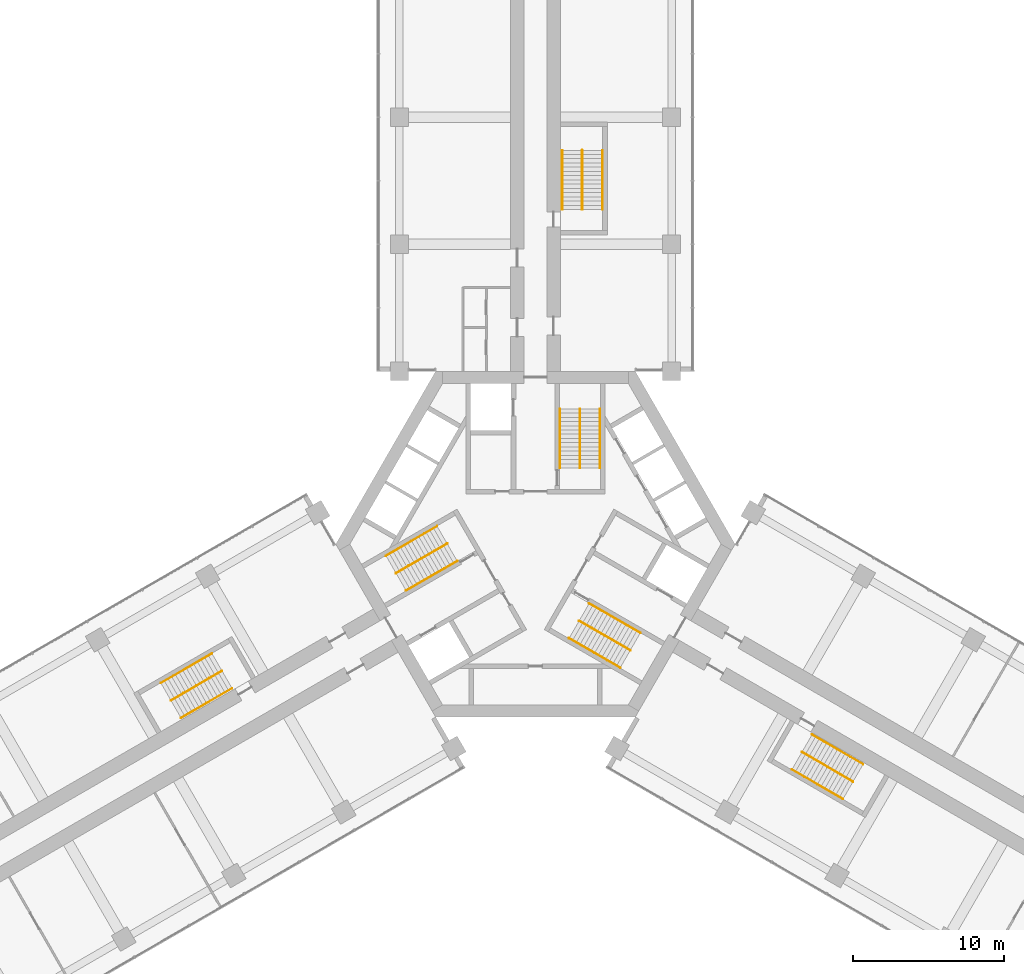
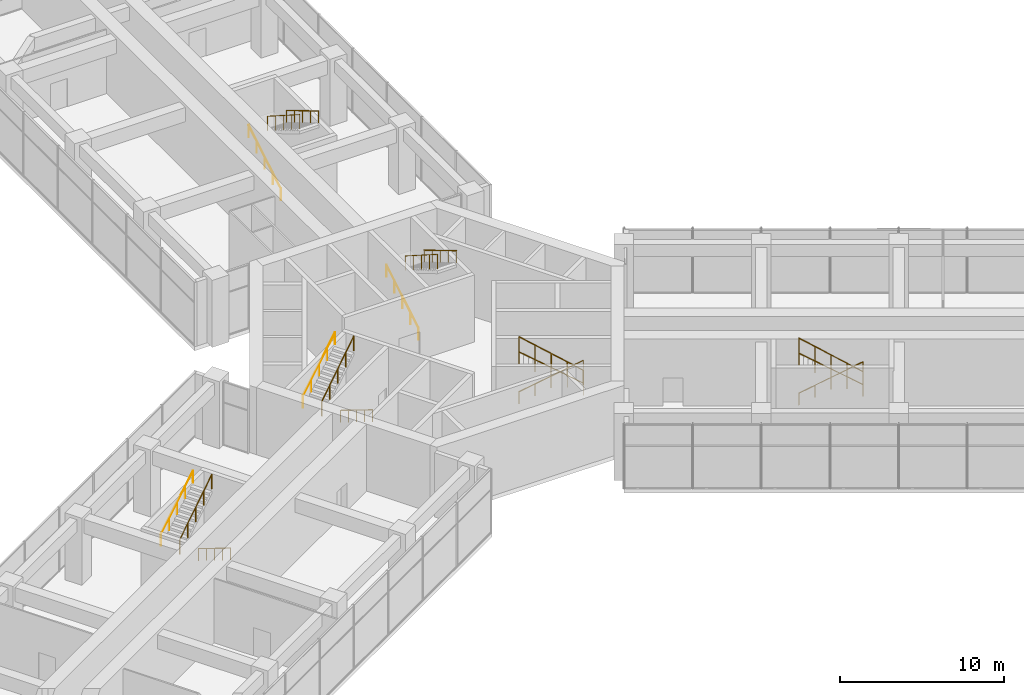
# One storey, part 20 of 20: 18 railings.
"""IFC4 building model written with IfcOpenShell, lengths in metres."""

import ifcopenshell
import ifcopenshell.guid

model = None  # the IFC model being written
_history = None  # IfcOwnerHistory: only IFC2X3 demands one
_inside = {}  # id of a spatial element -> (the spatial element, [elements in it])
_under = {}  # id of a project, library or spatial element -> (it, [spatial elements below it])
_declared = {}  # id of a project -> (the project, [libraries it declares])
_typed = {}  # id of a type object -> (the type object, [elements of that type])
_made_of = {}  # id of a material, layer set ... -> (it, [elements and type objects made of it])


def new_model(schema):
    """Start an empty IFC model of exactly this schema.

    Asked for "IFC4X3", IfcOpenShell would pick the latest addendum, in which some entities
    have other attributes; the version numbers below select the first issue.
    IFC2X3 requires an IfcOwnerHistory on every rooted entity: one is made here for all.
    """
    global model, _history
    if schema == "IFC4X3":
        model = ifcopenshell.file(schema_version=(4, 3, 0, 0))
    else:
        model = ifcopenshell.file(schema=schema)
    _inside.clear()
    _under.clear()
    _declared.clear()
    _typed.clear()
    _made_of.clear()
    _history = None
    if model.schema == "IFC2X3":
        org = make("IfcOrganization", Name="unknown")
        user = make(
            "IfcPersonAndOrganization",
            ThePerson=make("IfcPerson", FamilyName="unknown"),
            TheOrganization=org,
        )
        app = make(
            "IfcApplication",
            ApplicationDeveloper=org,
            Version="unknown",
            ApplicationFullName="unknown",
            ApplicationIdentifier="unknown",
        )
        _history = make(
            "IfcOwnerHistory",
            OwningUser=user,
            OwningApplication=app,
            ChangeAction="ADDED",
            CreationDate=0,
        )
    return model


def make(cls, **values):
    """One entity of the class cls with the attributes given. An attribute that is None is left unset."""
    return model.create_entity(
        cls, **{name: value for name, value in values.items() if value is not None}
    )


def rooted(cls, **values):
    """An entity with a GlobalId (a new one), such as an element, a storey or a relation."""
    return make(cls, GlobalId=ifcopenshell.guid.new(), OwnerHistory=_history, **values)


def si_unit(unit_type, name, prefix=None):
    """IfcSIUnit, for example si_unit("LENGTHUNIT", "METRE", prefix="MILLI")."""
    return make("IfcSIUnit", UnitType=unit_type, Prefix=prefix, Name=name)


def assignment(units):
    """IfcUnitAssignment: the units of a project."""
    return None if units is None else make("IfcUnitAssignment", Units=units)


def point(xyz):
    """IfcCartesianPoint."""
    return None if xyz is None else make("IfcCartesianPoint", Coordinates=xyz)


def direction(xyz):
    """IfcDirection."""
    return None if xyz is None else make("IfcDirection", DirectionRatios=xyz)


def frame(location, z_axis=None, x_axis=None):
    """IfcAxis2Placement3D, a coordinate frame: its origin and axes. An axis left out is left unset."""
    return make(
        "IfcAxis2Placement3D",
        Location=point(location),
        Axis=direction(z_axis),
        RefDirection=direction(x_axis),
    )


def frame_2d(location, x_axis=None):
    """IfcAxis2Placement2D, a coordinate frame in the plane: its origin and x axis."""
    return make(
        "IfcAxis2Placement2D", Location=point(location), RefDirection=direction(x_axis)
    )


def origin():
    """The frame at (0, 0, 0) with its axes left unset."""
    return frame((0.0, 0.0, 0.0))


def origin_2d():
    """The frame at (0, 0) in the plane with its x axis left unset."""
    return frame_2d((0.0, 0.0))


def place(relative_to, where):
    """IfcLocalPlacement: puts the frame where relative to a parent placement (None: the world)."""
    return make(
        "IfcLocalPlacement", PlacementRelTo=relative_to, RelativePlacement=where
    )


def context(
    kind, dimensions, precision=None, world=None, true_north=None, identifier=None
):
    """IfcGeometricRepresentationContext, for example the 3D "Model" context."""
    return make(
        "IfcGeometricRepresentationContext",
        ContextIdentifier=identifier,
        ContextType=kind,
        CoordinateSpaceDimension=dimensions,
        Precision=precision,
        WorldCoordinateSystem=world,
        TrueNorth=true_north,
    )


def subcontext(parent, identifier, kind, view, scale=None):
    """IfcGeometricRepresentationSubContext, for example "Body" below "Model"."""
    return make(
        "IfcGeometricRepresentationSubContext",
        ContextIdentifier=identifier,
        ContextType=kind,
        ParentContext=parent,
        TargetScale=scale,
        TargetView=view,
    )


def project(units=None, contexts=None):
    """IfcProject with its units and contexts."""
    return rooted(
        "IfcProject",
        Name="project",
        RepresentationContexts=contexts,
        UnitsInContext=assignment(units),
    )


def spatial(cls, under=None, at=None, **own):
    """A site, building, storey or space (cls), placed at a placement, below another one or the project."""
    s = rooted(cls, ObjectPlacement=at, **own)
    if under is not None:
        _under.setdefault(under.id(), (under, []))[1].append(s)
    return s


def profile(cls, at=None, kind="AREA", **sizes):
    """A parametric profile (cls). Its sizes go by their IFC names, for example OverallWidth=200.0."""
    return make(cls, ProfileType=kind, Position=at, **sizes)


def circle(**sizes):
    """IfcCircleProfileDef."""
    return profile("IfcCircleProfileDef", **sizes)


def extrude(swept, where, along, depth):
    """IfcExtrudedAreaSolid: the profile swept, set in the frame where, extruded along a direction by depth."""
    return make(
        "IfcExtrudedAreaSolid",
        SweptArea=swept,
        Position=where,
        ExtrudedDirection=direction(along),
        Depth=depth,
    )


def shape(context_of_items, identifier, shape_type, items):
    """IfcShapeRepresentation: the items that make up one representation, for example the "Body"."""
    return make(
        "IfcShapeRepresentation",
        ContextOfItems=context_of_items,
        RepresentationIdentifier=identifier,
        RepresentationType=shape_type,
        Items=items,
    )


def material(Name=None, Category=None):
    """IfcMaterial."""
    return make("IfcMaterial", Name=Name, Category=Category)


def made_of(thing, what):
    """Note that an element or type object is made of a material, layer set ...; save() writes the relation."""
    if what is not None:
        _made_of.setdefault(what.id(), (what, []))[1].append(thing)
    return thing


def type_object(cls, material=None, **own):
    """A type object (cls), such as IfcWallType, which elements share."""
    return made_of(rooted(cls, **own), material)


def element(
    cls,
    number,
    at=None,
    inside=None,
    cuts=None,
    type_object=None,
    material=None,
    context=None,
    identifier="Body",
    shape_type=None,
    held_by="IfcProductDefinitionShape",
    body=None,
    shapes=None,
    **own,
):
    """One element of the class cls, such as IfcWall. Its Tag is "e" and its number.

    at: its placement. inside: the storey or other place that contains it. cuts: it is an
    opening in that element (IfcRelVoidsElement). A single representation is given by context,
    identifier, shape_type and body (its items); several are given by shapes. held_by: the class
    of the entity that holds the representations. save() writes the other relations.
    """
    e = rooted(cls, Tag="e%d" % number, ObjectPlacement=at, **own)
    if body is not None:
        shapes = [shape(context, identifier, shape_type, body)]
    if shapes is not None:
        e.Representation = make(held_by, Representations=shapes)
    if inside is not None:
        _inside.setdefault(inside.id(), (inside, []))[1].append(e)
    if cuts is not None:
        rooted(
            "IfcRelVoidsElement", RelatingBuildingElement=cuts, RelatedOpeningElement=e
        )
    if type_object is not None:
        _typed.setdefault(type_object.id(), (type_object, []))[1].append(e)
    return made_of(e, material)


def aggregate(whole, parts):
    """IfcRelAggregates: a whole, such as a stair, and the parts it consists of."""
    return rooted("IfcRelAggregates", RelatingObject=whole, RelatedObjects=parts)


def save(model, path):
    """Write the relations noted so far, then the file.

    IfcRelAggregates (storeys below a building ...), IfcRelContainedInSpatialStructure (elements
    in a storey), IfcRelDefinesByType, IfcRelAssociatesMaterial and IfcRelDeclares: one each for
    every whole, place, type object, material and project.
    """
    for whole, parts in _under.values():
        aggregate(whole, parts)
    for where, things in _inside.values():
        rooted(
            "IfcRelContainedInSpatialStructure",
            RelatedElements=things,
            RelatingStructure=where,
        )
    for kind, things in _typed.values():
        rooted("IfcRelDefinesByType", RelatedObjects=things, RelatingType=kind)
    for what, things in _made_of.values():
        rooted("IfcRelAssociatesMaterial", RelatedObjects=things, RelatingMaterial=what)
    for by, libraries in _declared.values():
        rooted("IfcRelDeclares", RelatingContext=by, RelatedDefinitions=libraries)
    model.write(path)


model = new_model("IFC4")

# Units and contexts
model_context = context("Model", 3, precision=1e-05, world=origin(), true_north=direction((0.0, 1.0)))
body_context = subcontext(model_context, "Body", "Model", "MODEL_VIEW")
ifc_project = project(units=[si_unit("LENGTHUNIT", "METRE"), si_unit("AREAUNIT", "SQUARE_METRE"), si_unit("VOLUMEUNIT", "CUBIC_METRE"), si_unit("PLANEANGLEUNIT", "RADIAN"), si_unit("MASSUNIT", "GRAM", prefix="KILO")], contexts=[model_context])

# Site, building, storey
site_placement = place(None, origin())
site = spatial("IfcSite", under=ifc_project, at=site_placement, CompositionType="ELEMENT")
building_placement = place(site_placement, origin())
building = spatial("IfcBuilding", under=site, at=building_placement, Name="Impinga Residences", CompositionType="ELEMENT")
storey_placement = place(building_placement, frame((0.0, 0.0, 101.0)))
storey = spatial("IfcBuildingStorey", under=building, at=storey_placement, Name="L24", CompositionType="ELEMENT", Elevation=101.0)

# Railings
ifc_material_1 = material(Name="Steel guard, powder coated", Category="steel")
railing_type_1 = type_object("IfcRailingType", Name="GR1 stair guard 1100", PredefinedType="GUARDRAIL", material=ifc_material_1)
railing_1_placement = place(storey_placement, frame((2.949951171875, 8.949951171875, 2.5)))
element("IfcRailing", 1, at=railing_1_placement, inside=storey, type_object=railing_type_1, Name="Stair guard GR1 ST1 L24", PredefinedType="GUARDRAIL", context=body_context, shape_type="SweptSolid", body=[
    extrude(circle(Radius=0.02392578125, at=origin_2d()), frame((0.0, 0.0, 1.076171875), z_axis=(0.0, -0.843124831705, 0.537717879712), x_axis=(1.0, 0.0, 0.0)), (0.0, 0.0, 1.0), 4.649169921875),
    extrude(circle(Radius=0.02099609375, at=origin_2d()), origin(), (0.0, 0.0, 1.0), 1.052001953125),
    extrude(circle(Radius=0.02099609375, at=origin_2d()), frame((0.0, -0.97998046875, 0.625)), (0.0, 0.0, 1.0), 1.052001953125),
    extrude(circle(Radius=0.02099609375, at=origin_2d()), frame((0.0, -1.9599609375, 1.25)), (0.0, 0.0, 1.0), 1.052001953125),
    extrude(circle(Radius=0.02099609375, at=origin_2d()), frame((0.0, -2.93994140625, 1.875)), (0.0, 0.0, 1.0), 1.052001953125),
    extrude(circle(Radius=0.02099609375, at=origin_2d()), frame((0.0, -3.919921875, 2.5)), (0.0, 0.0, 1.0), 1.052001953125),
])
railing_2_placement = place(storey_placement, frame((-9.225830078125, -1.920166015625, 2.5)))
element("IfcRailing", 2, at=railing_2_placement, inside=storey, type_object=railing_type_1, Name="Stair guard GR1 ST2 L24", PredefinedType="GUARDRAIL", context=body_context, shape_type="SweptSolid", body=[
    extrude(circle(Radius=0.02392578125, at=origin_2d()), frame((0.0, 0.0, 1.076171875), z_axis=(0.730169879136, 0.421560862259, 0.537715898048), x_axis=(-0.499997407846, 0.86602690036, 0.0)), (0.0, 0.0, 1.0), 4.6494140625),
    extrude(circle(Radius=0.02099609375, at=origin_2d()), origin(), (0.0, 0.0, 1.0), 1.052001953125),
    extrude(circle(Radius=0.02099609375, at=origin_2d()), frame((0.8486328125, 0.489990234375, 0.625)), (0.0, 0.0, 1.0), 1.052001953125),
    extrude(circle(Radius=0.02099609375, at=origin_2d()), frame((1.697265625, 0.97998046875, 1.25)), (0.0, 0.0, 1.0), 1.052001953125),
    extrude(circle(Radius=0.02099609375, at=origin_2d()), frame((2.546142578125, 1.469970703125, 1.875)), (0.0, 0.0, 1.0), 1.052001953125),
    extrude(circle(Radius=0.02099609375, at=origin_2d()), frame((3.394775390625, 1.9599609375, 2.5)), (0.0, 0.0, 1.0), 1.052001953125),
])
railing_3_placement = place(storey_placement, frame((6.27587890625, -7.02978515625, 2.5)))
element("IfcRailing", 3, at=railing_3_placement, inside=storey, type_object=railing_type_1, Name="Stair guard GR1 ST3 L24", PredefinedType="GUARDRAIL", context=body_context, shape_type="SweptSolid", body=[
    extrude(circle(Radius=0.02392578125, at=origin_2d()), frame((0.0, 0.0, 1.076171875), z_axis=(-0.730169879136, 0.421560862259, 0.537715898048), x_axis=(-0.499997407846, -0.86602690036, 0.0)), (0.0, 0.0, 1.0), 4.6494140625),
    extrude(circle(Radius=0.02099609375, at=origin_2d()), origin(), (0.0, 0.0, 1.0), 1.052001953125),
    extrude(circle(Radius=0.02099609375, at=origin_2d()), frame((-0.8486328125, 0.489990234375, 0.625)), (0.0, 0.0, 1.0), 1.052001953125),
    extrude(circle(Radius=0.02099609375, at=origin_2d()), frame((-1.697265625, 0.97998046875, 1.25)), (0.0, 0.0, 1.0), 1.052001953125),
    extrude(circle(Radius=0.02099609375, at=origin_2d()), frame((-2.546142578125, 1.469970703125, 1.875)), (0.0, 0.0, 1.0), 1.052001953125),
    extrude(circle(Radius=0.02099609375, at=origin_2d()), frame((-3.394775390625, 1.9599609375, 2.5)), (0.0, 0.0, 1.0), 1.052001953125),
])
railing_4_placement = place(storey_placement, frame((3.10009765625, 26.051513671875, 2.5)))
element("IfcRailing", 4, at=railing_4_placement, inside=storey, type_object=railing_type_1, Name="Stair guard GR1 WS1 L24", PredefinedType="GUARDRAIL", context=body_context, shape_type="SweptSolid", body=[
    extrude(circle(Radius=0.02392578125, at=origin_2d()), frame((0.0, 0.0, 1.076171875), z_axis=(0.0, -0.843124831705, 0.537717879712), x_axis=(1.0, 0.0, 0.0)), (0.0, 0.0, 1.0), 4.649169921875),
    extrude(circle(Radius=0.02099609375, at=origin_2d()), origin(), (0.0, 0.0, 1.0), 1.052001953125),
    extrude(circle(Radius=0.02099609375, at=origin_2d()), frame((0.0, -0.97998046875, 0.625)), (0.0, 0.0, 1.0), 1.052001953125),
    extrude(circle(Radius=0.02099609375, at=origin_2d()), frame((0.0, -1.9599609375, 1.25)), (0.0, 0.0, 1.0), 1.052001953125),
    extrude(circle(Radius=0.02099609375, at=origin_2d()), frame((0.0, -2.93994140625, 1.875)), (0.0, 0.0, 1.0), 1.052001953125),
    extrude(circle(Radius=0.02099609375, at=origin_2d()), frame((0.0, -3.919921875, 2.5)), (0.0, 0.0, 1.0), 1.052001953125),
])
railing_5_placement = place(storey_placement, frame((-24.111328125, -10.341064453125, 2.5)))
element("IfcRailing", 5, at=railing_5_placement, inside=storey, type_object=railing_type_1, Name="Stair guard GR1 WS2 L24", PredefinedType="GUARDRAIL", context=body_context, shape_type="SweptSolid", body=[
    extrude(circle(Radius=0.02392578125, at=origin_2d()), frame((0.0, 0.0, 1.076171875), z_axis=(0.730169879136, 0.421560862259, 0.537715898048), x_axis=(-0.499997407846, 0.86602690036, 0.0)), (0.0, 0.0, 1.0), 4.6494140625),
    extrude(circle(Radius=0.02099609375, at=origin_2d()), origin(), (0.0, 0.0, 1.0), 1.052001953125),
    extrude(circle(Radius=0.02099609375, at=origin_2d()), frame((0.8486328125, 0.489990234375, 0.625)), (0.0, 0.0, 1.0), 1.052001953125),
    extrude(circle(Radius=0.02099609375, at=origin_2d()), frame((1.697265625, 0.97998046875, 1.25)), (0.0, 0.0, 1.0), 1.052001953125),
    extrude(circle(Radius=0.02099609375, at=origin_2d()), frame((2.546142578125, 1.469970703125, 1.875)), (0.0, 0.0, 1.0), 1.052001953125),
    extrude(circle(Radius=0.02099609375, at=origin_2d()), frame((3.394775390625, 1.9599609375, 2.5)), (0.0, 0.0, 1.0), 1.052001953125),
])
railing_6_placement = place(storey_placement, frame((21.01123046875, -15.71044921875, 2.5)))
element("IfcRailing", 6, at=railing_6_placement, inside=storey, type_object=railing_type_1, Name="Stair guard GR1 WS3 L24", PredefinedType="GUARDRAIL", context=body_context, shape_type="SweptSolid", body=[
    extrude(circle(Radius=0.02392578125, at=origin_2d()), frame((0.0, 0.0, 1.076171875), z_axis=(-0.730169879136, 0.421560862259, 0.537715898048), x_axis=(-0.499997407846, -0.86602690036, 0.0)), (0.0, 0.0, 1.0), 4.6494140625),
    extrude(circle(Radius=0.02099609375, at=origin_2d()), origin(), (0.0, 0.0, 1.0), 1.052001953125),
    extrude(circle(Radius=0.02099609375, at=origin_2d()), frame((-0.8486328125, 0.489990234375, 0.625)), (0.0, 0.0, 1.0), 1.052001953125),
    extrude(circle(Radius=0.02099609375, at=origin_2d()), frame((-1.697265625, 0.97998046875, 1.25)), (0.0, 0.0, 1.0), 1.052001953125),
    extrude(circle(Radius=0.02099609375, at=origin_2d()), frame((-2.546142578125, 1.469970703125, 1.875)), (0.0, 0.0, 1.0), 1.052001953125),
    extrude(circle(Radius=0.02099609375, at=origin_2d()), frame((-3.394775390625, 1.9599609375, 2.5)), (0.0, 0.0, 1.0), 1.052001953125),
])
ifc_material_2 = material(Name="Steel handrail tube 42 mm, powder coated", Category="steel")
railing_type_2 = type_object("IfcRailingType", Name="HR1 stair handrail, 42 mm steel tube, 900 above the pitch line", PredefinedType="HANDRAIL", material=ifc_material_2)
railing_7_placement = place(storey_placement, frame((1.62109375, 5.030029296875, 0.166748046875)))
element("IfcRailing", 7, at=railing_7_placement, inside=storey, type_object=railing_type_2, Name="Stair handrail HR1 ST1 L24", PredefinedType="HANDRAIL", context=body_context, shape_type="SweptSolid", body=[
    extrude(circle(Radius=0.02099609375, at=origin_2d()), frame((0.0, 0.0, 0.87890625), z_axis=(0.0, 0.859296244711, 0.511478214419), x_axis=(-1.0, 0.0, 0.0)), (0.0, 0.0, 1.0), 4.561767578125),
    extrude(circle(Radius=0.012451171875, at=origin_2d()), origin(), (0.0, 0.0, 1.0), 0.85791015625),
    extrude(circle(Radius=0.012451171875, at=origin_2d()), frame((0.0, 0.97998046875, 0.583251953125)), (0.0, 0.0, 1.0), 0.85791015625),
    extrude(circle(Radius=0.012451171875, at=origin_2d()), frame((0.0, 1.9599609375, 1.16650390625)), (0.0, 0.0, 1.0), 0.85791015625),
    extrude(circle(Radius=0.012451171875, at=origin_2d()), frame((0.0, 2.93994140625, 1.75)), (0.0, 0.0, 1.0), 0.85791015625),
    extrude(circle(Radius=0.012451171875, at=origin_2d()), frame((0.0, 3.919921875, 2.333251953125)), (0.0, 0.0, 1.0), 0.85791015625),
])
railing_8_placement = place(storey_placement, frame((4.279052734375, 8.949951171875, 2.666748046875)))
element("IfcRailing", 8, at=railing_8_placement, inside=storey, type_object=railing_type_2, Name="Stair handrail HR1 ST1 L24", PredefinedType="HANDRAIL", context=body_context, shape_type="SweptSolid", body=[
    extrude(circle(Radius=0.02099609375, at=origin_2d()), frame((0.0, 0.0, 0.87890625), z_axis=(0.0, -0.859296244711, 0.511478214419), x_axis=(1.0, 0.0, 0.0)), (0.0, 0.0, 1.0), 4.561767578125),
    extrude(circle(Radius=0.012451171875, at=origin_2d()), origin(), (0.0, 0.0, 1.0), 0.85791015625),
    extrude(circle(Radius=0.012451171875, at=origin_2d()), frame((0.0, -0.97998046875, 0.583251953125)), (0.0, 0.0, 1.0), 0.85791015625),
    extrude(circle(Radius=0.012451171875, at=origin_2d()), frame((0.0, -1.9599609375, 1.16650390625)), (0.0, 0.0, 1.0), 0.85791015625),
    extrude(circle(Radius=0.012451171875, at=origin_2d()), frame((0.0, -2.93994140625, 1.75)), (0.0, 0.0, 1.0), 0.85791015625),
    extrude(circle(Radius=0.012451171875, at=origin_2d()), frame((0.0, -3.919921875, 2.333251953125)), (0.0, 0.0, 1.0), 0.85791015625),
])
railing_9_placement = place(storey_placement, frame((-5.16650390625, -1.111083984375, 0.166748046875)))
element("IfcRailing", 9, at=railing_9_placement, inside=storey, type_object=railing_type_2, Name="Stair handrail HR1 ST2 L24", PredefinedType="HANDRAIL", context=body_context, shape_type="SweptSolid", body=[
    extrude(circle(Radius=0.02099609375, at=origin_2d()), frame((0.0, 0.0, 0.87890625), z_axis=(-0.744181440101, -0.429673003205, 0.511444126495), x_axis=(0.500017148795, -0.866015502696, 0.0)), (0.0, 0.0, 1.0), 4.56201171875),
    extrude(circle(Radius=0.012451171875, at=origin_2d()), origin(), (0.0, 0.0, 1.0), 0.85791015625),
    extrude(circle(Radius=0.012451171875, at=origin_2d()), frame((-0.8486328125, -0.489990234375, 0.583251953125)), (0.0, 0.0, 1.0), 0.85791015625),
    extrude(circle(Radius=0.012451171875, at=origin_2d()), frame((-1.697509765625, -0.97998046875, 1.16650390625)), (0.0, 0.0, 1.0), 0.85791015625),
    extrude(circle(Radius=0.012451171875, at=origin_2d()), frame((-2.54638671875, -1.47021484375, 1.75)), (0.0, 0.0, 1.0), 0.85791015625),
    extrude(circle(Radius=0.012451171875, at=origin_2d()), frame((-3.39501953125, -1.960205078125, 2.333251953125)), (0.0, 0.0, 1.0), 0.85791015625),
])
railing_10_placement = place(storey_placement, frame((-9.890380859375, -0.769287109375, 2.666748046875)))
element("IfcRailing", 10, at=railing_10_placement, inside=storey, type_object=railing_type_2, Name="Stair handrail HR1 ST2 L24", PredefinedType="HANDRAIL", context=body_context, shape_type="SweptSolid", body=[
    extrude(circle(Radius=0.02099609375, at=origin_2d()), frame((0.0, 0.0, 0.87890625), z_axis=(0.744174672596, 0.429646477641, 0.511476256455), x_axis=(-0.499997407846, 0.86602690036, 0.0)), (0.0, 0.0, 1.0), 4.561767578125),
    extrude(circle(Radius=0.012451171875, at=origin_2d()), origin(), (0.0, 0.0, 1.0), 0.85791015625),
    extrude(circle(Radius=0.012451171875, at=origin_2d()), frame((0.8486328125, 0.489990234375, 0.583251953125)), (0.0, 0.0, 1.0), 0.85791015625),
    extrude(circle(Radius=0.012451171875, at=origin_2d()), frame((1.697265625, 0.97998046875, 1.16650390625)), (0.0, 0.0, 1.0), 0.85791015625),
    extrude(circle(Radius=0.012451171875, at=origin_2d()), frame((2.546142578125, 1.469970703125, 1.75)), (0.0, 0.0, 1.0), 0.85791015625),
    extrude(circle(Radius=0.012451171875, at=origin_2d()), frame((3.394775390625, 1.9599609375, 2.333251953125)), (0.0, 0.0, 1.0), 0.85791015625),
])
railing_11_placement = place(storey_placement, frame((3.545654296875, -3.9189453125, 0.166748046875)))
element("IfcRailing", 11, at=railing_11_placement, inside=storey, type_object=railing_type_2, Name="Stair handrail HR1 ST3 L24", PredefinedType="HANDRAIL", context=body_context, shape_type="SweptSolid", body=[
    extrude(circle(Radius=0.02099609375, at=origin_2d()), frame((0.0, 0.0, 0.87890625), z_axis=(0.744174672596, -0.429646477641, 0.511476256455), x_axis=(0.499997407846, 0.86602690036, 0.0)), (0.0, 0.0, 1.0), 4.561767578125),
    extrude(circle(Radius=0.012451171875, at=origin_2d()), origin(), (0.0, 0.0, 1.0), 0.85791015625),
    extrude(circle(Radius=0.012451171875, at=origin_2d()), frame((0.8486328125, -0.489990234375, 0.583251953125)), (0.0, 0.0, 1.0), 0.85791015625),
    extrude(circle(Radius=0.012451171875, at=origin_2d()), frame((1.697265625, -0.97998046875, 1.16650390625)), (0.0, 0.0, 1.0), 0.85791015625),
    extrude(circle(Radius=0.012451171875, at=origin_2d()), frame((2.546142578125, -1.469970703125, 1.75)), (0.0, 0.0, 1.0), 0.85791015625),
    extrude(circle(Radius=0.012451171875, at=origin_2d()), frame((3.394775390625, -1.9599609375, 2.333251953125)), (0.0, 0.0, 1.0), 0.85791015625),
])
railing_12_placement = place(storey_placement, frame((5.611328125, -8.1806640625, 2.666748046875)))
element("IfcRailing", 12, at=railing_12_placement, inside=storey, type_object=railing_type_2, Name="Stair handrail HR1 ST3 L24", PredefinedType="HANDRAIL", context=body_context, shape_type="SweptSolid", body=[
    extrude(circle(Radius=0.02099609375, at=origin_2d()), frame((0.0, 0.0, 0.87890625), z_axis=(-0.744174672596, 0.429646477641, 0.511476256455), x_axis=(-0.499997407846, -0.86602690036, 0.0)), (0.0, 0.0, 1.0), 4.561767578125),
    extrude(circle(Radius=0.012451171875, at=origin_2d()), origin(), (0.0, 0.0, 1.0), 0.85791015625),
    extrude(circle(Radius=0.012451171875, at=origin_2d()), frame((-0.8486328125, 0.489990234375, 0.583251953125)), (0.0, 0.0, 1.0), 0.85791015625),
    extrude(circle(Radius=0.012451171875, at=origin_2d()), frame((-1.697265625, 0.97998046875, 1.16650390625)), (0.0, 0.0, 1.0), 0.85791015625),
    extrude(circle(Radius=0.012451171875, at=origin_2d()), frame((-2.546142578125, 1.469970703125, 1.75)), (0.0, 0.0, 1.0), 0.85791015625),
    extrude(circle(Radius=0.012451171875, at=origin_2d()), frame((-3.394775390625, 1.9599609375, 2.333251953125)), (0.0, 0.0, 1.0), 0.85791015625),
])
railing_13_placement = place(storey_placement, frame((1.77099609375, 22.131591796875, 0.166748046875)))
element("IfcRailing", 13, at=railing_13_placement, inside=storey, type_object=railing_type_2, Name="Stair handrail HR1 WS1 L24", PredefinedType="HANDRAIL", context=body_context, shape_type="SweptSolid", body=[
    extrude(circle(Radius=0.02099609375, at=origin_2d()), frame((0.0, 0.0, 0.87890625), z_axis=(0.0, 0.859296244711, 0.511478214419), x_axis=(-1.0, 0.0, 0.0)), (0.0, 0.0, 1.0), 4.561767578125),
    extrude(circle(Radius=0.012451171875, at=origin_2d()), origin(), (0.0, 0.0, 1.0), 0.85791015625),
    extrude(circle(Radius=0.012451171875, at=origin_2d()), frame((0.0, 0.97998046875, 0.583251953125)), (0.0, 0.0, 1.0), 0.85791015625),
    extrude(circle(Radius=0.012451171875, at=origin_2d()), frame((0.0, 1.9599609375, 1.16650390625)), (0.0, 0.0, 1.0), 0.85791015625),
    extrude(circle(Radius=0.012451171875, at=origin_2d()), frame((0.0, 2.93994140625, 1.75)), (0.0, 0.0, 1.0), 0.85791015625),
    extrude(circle(Radius=0.012451171875, at=origin_2d()), frame((0.0, 3.919921875, 2.333251953125)), (0.0, 0.0, 1.0), 0.85791015625),
])
railing_14_placement = place(storey_placement, frame((4.428955078125, 26.051513671875, 2.666748046875)))
element("IfcRailing", 14, at=railing_14_placement, inside=storey, type_object=railing_type_2, Name="Stair handrail HR1 WS1 L24", PredefinedType="HANDRAIL", context=body_context, shape_type="SweptSolid", body=[
    extrude(circle(Radius=0.02099609375, at=origin_2d()), frame((0.0, 0.0, 0.87890625), z_axis=(0.0, -0.859296244711, 0.511478214419), x_axis=(1.0, 0.0, 0.0)), (0.0, 0.0, 1.0), 4.561767578125),
    extrude(circle(Radius=0.012451171875, at=origin_2d()), origin(), (0.0, 0.0, 1.0), 0.85791015625),
    extrude(circle(Radius=0.012451171875, at=origin_2d()), frame((0.0, -0.97998046875, 0.583251953125)), (0.0, 0.0, 1.0), 0.85791015625),
    extrude(circle(Radius=0.012451171875, at=origin_2d()), frame((0.0, -1.9599609375, 1.16650390625)), (0.0, 0.0, 1.0), 0.85791015625),
    extrude(circle(Radius=0.012451171875, at=origin_2d()), frame((0.0, -2.93994140625, 1.75)), (0.0, 0.0, 1.0), 0.85791015625),
    extrude(circle(Radius=0.012451171875, at=origin_2d()), frame((0.0, -3.919921875, 2.333251953125)), (0.0, 0.0, 1.0), 0.85791015625),
])
railing_15_placement = place(storey_placement, frame((-20.052001953125, -9.531982421875, 0.166748046875)))
element("IfcRailing", 15, at=railing_15_placement, inside=storey, type_object=railing_type_2, Name="Stair handrail HR1 WS2 L24", PredefinedType="HANDRAIL", context=body_context, shape_type="SweptSolid", body=[
    extrude(circle(Radius=0.02099609375, at=origin_2d()), frame((0.0, 0.0, 0.87890625), z_axis=(-0.744174672596, -0.429646477641, 0.511476256455), x_axis=(0.499997407846, -0.86602690036, 0.0)), (0.0, 0.0, 1.0), 4.561767578125),
    extrude(circle(Radius=0.012451171875, at=origin_2d()), origin(), (0.0, 0.0, 1.0), 0.85791015625),
    extrude(circle(Radius=0.012451171875, at=origin_2d()), frame((-0.8486328125, -0.489990234375, 0.583251953125)), (0.0, 0.0, 1.0), 0.85791015625),
    extrude(circle(Radius=0.012451171875, at=origin_2d()), frame((-1.697265625, -0.97998046875, 1.16650390625)), (0.0, 0.0, 1.0), 0.85791015625),
    extrude(circle(Radius=0.012451171875, at=origin_2d()), frame((-2.546142578125, -1.469970703125, 1.75)), (0.0, 0.0, 1.0), 0.85791015625),
    extrude(circle(Radius=0.012451171875, at=origin_2d()), frame((-3.394775390625, -1.9599609375, 2.333251953125)), (0.0, 0.0, 1.0), 0.85791015625),
])
railing_16_placement = place(storey_placement, frame((-24.77587890625, -9.190185546875, 2.666748046875)))
element("IfcRailing", 16, at=railing_16_placement, inside=storey, type_object=railing_type_2, Name="Stair handrail HR1 WS2 L24", PredefinedType="HANDRAIL", context=body_context, shape_type="SweptSolid", body=[
    extrude(circle(Radius=0.02099609375, at=origin_2d()), frame((0.0, 0.0, 0.87890625), z_axis=(0.744198551339, 0.429629366471, 0.511455886319), x_axis=(-0.499970440388, 0.866042469362, 0.0)), (0.0, 0.0, 1.0), 4.56201171875),
    extrude(circle(Radius=0.012451171875, at=origin_2d()), origin(), (0.0, 0.0, 1.0), 0.85791015625),
    extrude(circle(Radius=0.012451171875, at=origin_2d()), frame((0.8486328125, 0.489990234375, 0.583251953125)), (0.0, 0.0, 1.0), 0.85791015625),
    extrude(circle(Radius=0.012451171875, at=origin_2d()), frame((1.697509765625, 0.97998046875, 1.16650390625)), (0.0, 0.0, 1.0), 0.85791015625),
    extrude(circle(Radius=0.012451171875, at=origin_2d()), frame((2.54638671875, 1.469970703125, 1.75)), (0.0, 0.0, 1.0), 0.85791015625),
    extrude(circle(Radius=0.012451171875, at=origin_2d()), frame((3.39501953125, 1.9599609375, 2.333251953125)), (0.0, 0.0, 1.0), 0.85791015625),
])
railing_17_placement = place(storey_placement, frame((18.281005859375, -12.599609375, 0.166748046875)))
element("IfcRailing", 17, at=railing_17_placement, inside=storey, type_object=railing_type_2, Name="Stair handrail HR1 WS3 L24", PredefinedType="HANDRAIL", context=body_context, shape_type="SweptSolid", body=[
    extrude(circle(Radius=0.02099609375, at=origin_2d()), frame((0.0, 0.0, 0.87890625), z_axis=(0.744174672596, -0.429646477641, 0.511476256455), x_axis=(0.499997407846, 0.86602690036, 0.0)), (0.0, 0.0, 1.0), 4.561767578125),
    extrude(circle(Radius=0.012451171875, at=origin_2d()), origin(), (0.0, 0.0, 1.0), 0.85791015625),
    extrude(circle(Radius=0.012451171875, at=origin_2d()), frame((0.8486328125, -0.489990234375, 0.583251953125)), (0.0, 0.0, 1.0), 0.85791015625),
    extrude(circle(Radius=0.012451171875, at=origin_2d()), frame((1.697265625, -0.97998046875, 1.16650390625)), (0.0, 0.0, 1.0), 0.85791015625),
    extrude(circle(Radius=0.012451171875, at=origin_2d()), frame((2.546142578125, -1.469970703125, 1.75)), (0.0, 0.0, 1.0), 0.85791015625),
    extrude(circle(Radius=0.012451171875, at=origin_2d()), frame((3.394775390625, -1.9599609375, 2.333251953125)), (0.0, 0.0, 1.0), 0.85791015625),
])
railing_18_placement = place(storey_placement, frame((20.3466796875, -16.861328125, 2.666748046875)))
element("IfcRailing", 18, at=railing_18_placement, inside=storey, type_object=railing_type_2, Name="Stair handrail HR1 WS3 L24", PredefinedType="HANDRAIL", context=body_context, shape_type="SweptSolid", body=[
    extrude(circle(Radius=0.02099609375, at=origin_2d()), frame((0.0, 0.0, 0.87890625), z_axis=(-0.744174672596, 0.429646477641, 0.511476256455), x_axis=(-0.499997407846, -0.86602690036, 0.0)), (0.0, 0.0, 1.0), 4.561767578125),
    extrude(circle(Radius=0.012451171875, at=origin_2d()), origin(), (0.0, 0.0, 1.0), 0.85791015625),
    extrude(circle(Radius=0.012451171875, at=origin_2d()), frame((-0.8486328125, 0.489990234375, 0.583251953125)), (0.0, 0.0, 1.0), 0.85791015625),
    extrude(circle(Radius=0.012451171875, at=origin_2d()), frame((-1.697265625, 0.97998046875, 1.16650390625)), (0.0, 0.0, 1.0), 0.85791015625),
    extrude(circle(Radius=0.012451171875, at=origin_2d()), frame((-2.546142578125, 1.469970703125, 1.75)), (0.0, 0.0, 1.0), 0.85791015625),
    extrude(circle(Radius=0.012451171875, at=origin_2d()), frame((-3.394775390625, 1.9599609375, 2.333251953125)), (0.0, 0.0, 1.0), 0.85791015625),
])

save(model, "model.ifc")
